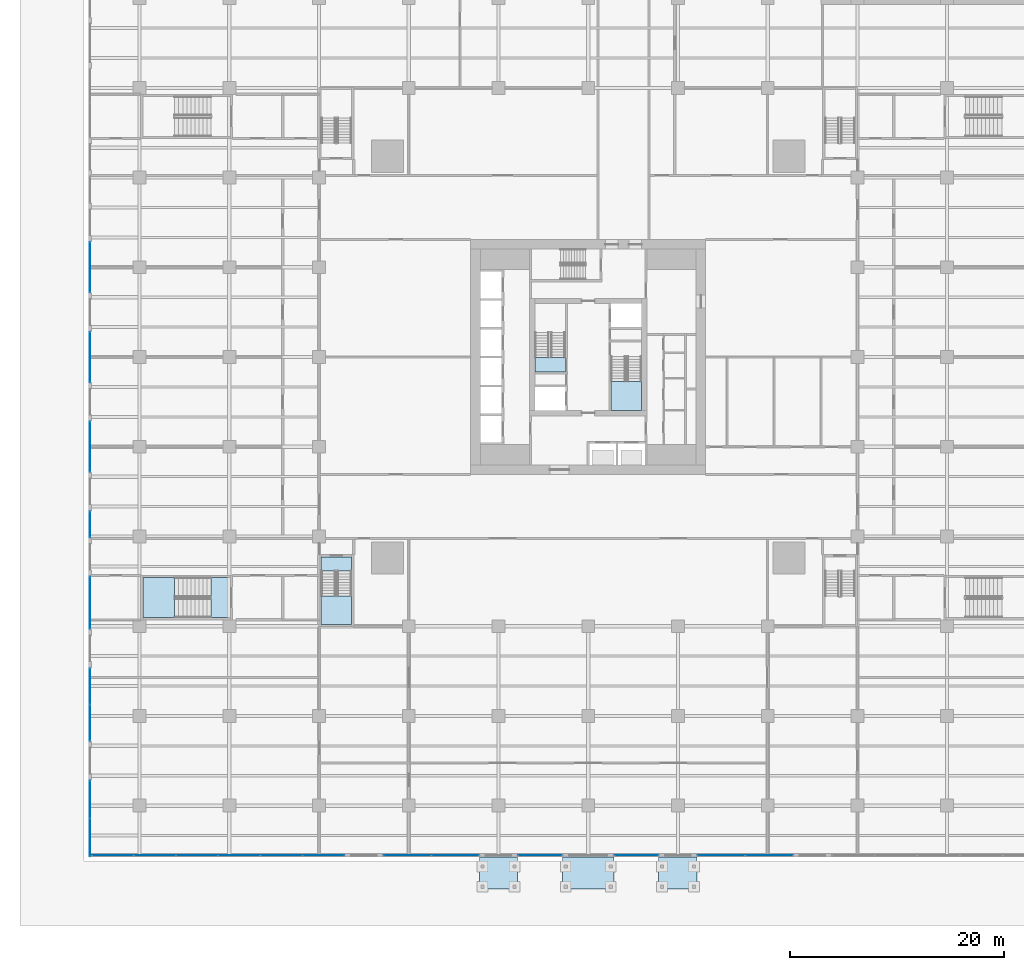
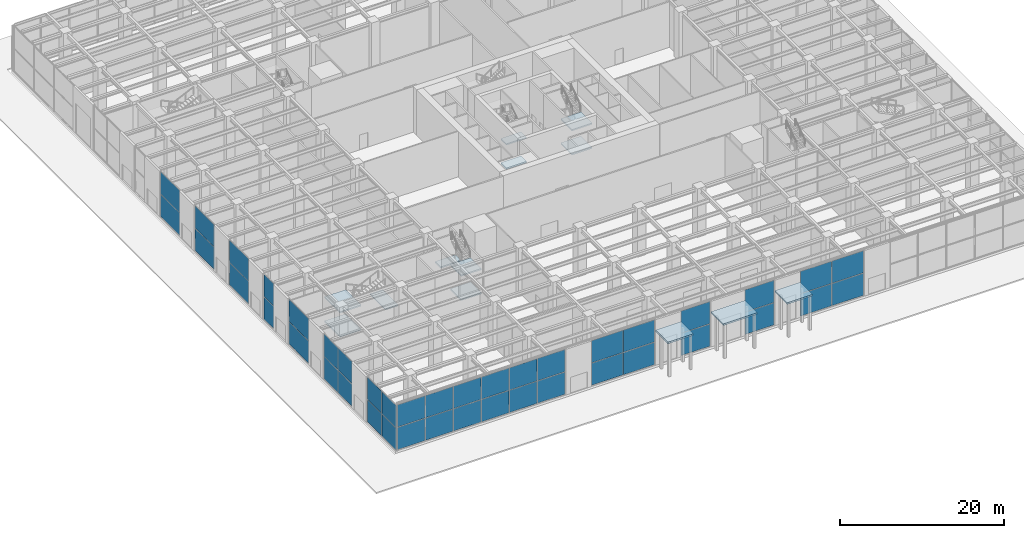
# One storey, part 24 of 43: 42 plates, 13 slabs, 16 elements without a shape of their own.
"""IFC4 building model written with IfcOpenShell, lengths in metres."""

from ifc_helpers import new_model, si_unit, direction, frame, origin, origin_2d, place, context, subcontext, project, spatial, polyline, rectangle, outline, extrude, material, layer, layer_set, type_object, element, aggregate, save


model = new_model("IFC4")

# Units and contexts
model_context = context("Model", 3, precision=1e-05, world=origin(), true_north=direction((0.0, 1.0)))
body_context = subcontext(model_context, "Body", "Model", "MODEL_VIEW")
ifc_project = project(units=[si_unit("LENGTHUNIT", "METRE"), si_unit("AREAUNIT", "SQUARE_METRE"), si_unit("VOLUMEUNIT", "CUBIC_METRE"), si_unit("PLANEANGLEUNIT", "RADIAN"), si_unit("MASSUNIT", "GRAM", prefix="KILO")], contexts=[model_context])

# Site, building, storey
site_placement = place(None, origin())
site = spatial("IfcSite", under=ifc_project, at=site_placement, CompositionType="ELEMENT")
building_placement = place(site_placement, origin())
building = spatial("IfcBuilding", under=site, at=building_placement, Name="Khepri Terraces", CompositionType="ELEMENT")
storey_placement = place(building_placement, origin())
storey = spatial("IfcBuildingStorey", under=building, at=storey_placement, Name="L00", CompositionType="ELEMENT", Elevation=0.0)

# Curtain wall, plates
ifc_material_1 = material(Name="Anodised aluminium bronze curtain wall", Category="aluminium")
curtain_wall_type = type_object("IfcCurtainWallType", Name="CW-SYS1-LOBBY", PredefinedType="NOTDEFINED", material=ifc_material_1)
curtain_wall_1_placement = place(storey_placement, origin())
curtain_wall_1 = element("IfcCurtainWall", 1, at=curtain_wall_1_placement, inside=storey, type_object=curtain_wall_type, Name="Curtain wall CW1 L00 W", PredefinedType="NOTDEFINED")
ifc_material_2 = material(Name="Clear glass", Category="glass")
ifc_layer_1 = layer(ifc_material_2, 0.028076171875, Name="Clear glass", Category="glass")
ifc_layer_set_1 = layer_set([ifc_layer_1], Name="Clear glass")
plate_type = type_object("IfcPlateType", Name="CW-PANEL-VISION-28", PredefinedType="CURTAIN_PANEL", material=ifc_layer_set_1)
plate_1_placement = place(storey_placement, frame((-46.64990234375, 8.39990234375, 0.06005859375), z_axis=(0.0, 0.0, 1.0), x_axis=(0.0, -1.0, 0.0)))
plate_1 = element("IfcPlate", 2, at=plate_1_placement, type_object=plate_type, Name="CW1 panel 1.1", PredefinedType="CURTAIN_PANEL", context=body_context, shape_type="SweptSolid", body=[
    extrude(rectangle(XDim=4.679931640625, YDim=0.028076171875, at=origin_2d()), origin(), (0.0, 0.0, 1.0), 3.300048828125),
])
plate_2_placement = place(storey_placement, frame((-46.64990234375, 8.39990234375, 3.419921875), z_axis=(0.0, 0.0, 1.0), x_axis=(0.0, -1.0, 0.0)))
plate_2 = element("IfcPlate", 3, at=plate_2_placement, type_object=plate_type, Name="CW1 panel 1.2", PredefinedType="CURTAIN_PANEL", context=body_context, shape_type="SweptSolid", body=[
    extrude(rectangle(XDim=4.679931640625, YDim=0.028076171875, at=origin_2d()), origin(), (0.0, 0.0, 1.0), 3.300048828125),
])
aggregate(curtain_wall_1, [plate_1, plate_2])

curtain_wall_2_placement = place(storey_placement, origin())
curtain_wall_2 = element("IfcCurtainWall", 4, at=curtain_wall_2_placement, inside=storey, type_object=curtain_wall_type, Name="Curtain wall CW1 L00 W", PredefinedType="NOTDEFINED")
plate_3_placement = place(storey_placement, frame((-46.64990234375, 0.0, 0.06005859375), z_axis=(0.0, 0.0, 1.0), x_axis=(0.0, -1.0, 0.0)))
plate_3 = element("IfcPlate", 5, at=plate_3_placement, type_object=plate_type, Name="CW1 panel 1.1", PredefinedType="CURTAIN_PANEL", context=body_context, shape_type="SweptSolid", body=[
    extrude(rectangle(XDim=4.679931640625, YDim=0.028076171875, at=origin_2d()), origin(), (0.0, 0.0, 1.0), 3.300048828125),
])
plate_4_placement = place(storey_placement, frame((-46.64990234375, 0.0, 3.419921875), z_axis=(0.0, 0.0, 1.0), x_axis=(0.0, -1.0, 0.0)))
plate_4 = element("IfcPlate", 6, at=plate_4_placement, type_object=plate_type, Name="CW1 panel 1.2", PredefinedType="CURTAIN_PANEL", context=body_context, shape_type="SweptSolid", body=[
    extrude(rectangle(XDim=4.679931640625, YDim=0.028076171875, at=origin_2d()), origin(), (0.0, 0.0, 1.0), 3.300048828125),
])
aggregate(curtain_wall_2, [plate_3, plate_4])

curtain_wall_3_placement = place(storey_placement, origin())
curtain_wall_3 = element("IfcCurtainWall", 7, at=curtain_wall_3_placement, inside=storey, type_object=curtain_wall_type, Name="Curtain wall CW1 L00 W", PredefinedType="NOTDEFINED")
plate_5_placement = place(storey_placement, frame((-46.64990234375, -8.39990234375, 0.06005859375), z_axis=(0.0, 0.0, 1.0), x_axis=(0.0, -1.0, 0.0)))
plate_5 = element("IfcPlate", 8, at=plate_5_placement, type_object=plate_type, Name="CW1 panel 1.1", PredefinedType="CURTAIN_PANEL", context=body_context, shape_type="SweptSolid", body=[
    extrude(rectangle(XDim=4.679931640625, YDim=0.028076171875, at=origin_2d()), origin(), (0.0, 0.0, 1.0), 3.300048828125),
])
plate_6_placement = place(storey_placement, frame((-46.64990234375, -8.39990234375, 3.419921875), z_axis=(0.0, 0.0, 1.0), x_axis=(0.0, -1.0, 0.0)))
plate_6 = element("IfcPlate", 9, at=plate_6_placement, type_object=plate_type, Name="CW1 panel 1.2", PredefinedType="CURTAIN_PANEL", context=body_context, shape_type="SweptSolid", body=[
    extrude(rectangle(XDim=4.679931640625, YDim=0.028076171875, at=origin_2d()), origin(), (0.0, 0.0, 1.0), 3.300048828125),
])
aggregate(curtain_wall_3, [plate_5, plate_6])

curtain_wall_4_placement = place(storey_placement, origin())
curtain_wall_4 = element("IfcCurtainWall", 10, at=curtain_wall_4_placement, inside=storey, type_object=curtain_wall_type, Name="Curtain wall CW1 L00 W", PredefinedType="NOTDEFINED")
plate_7_placement = place(storey_placement, frame((-46.64990234375, -15.66259765625, 0.06005859375), z_axis=(0.0, 0.0, 1.0), x_axis=(0.0, -1.0, 0.0)))
plate_7 = element("IfcPlate", 11, at=plate_7_placement, type_object=plate_type, Name="CW1 panel 1.1", PredefinedType="CURTAIN_PANEL", context=body_context, shape_type="SweptSolid", body=[
    extrude(rectangle(XDim=2.405029296875, YDim=0.028076171875, at=origin_2d()), origin(), (0.0, 0.0, 1.0), 3.300048828125),
])
plate_8_placement = place(storey_placement, frame((-46.64990234375, -15.66259765625, 3.419921875), z_axis=(0.0, 0.0, 1.0), x_axis=(0.0, -1.0, 0.0)))
plate_8 = element("IfcPlate", 12, at=plate_8_placement, type_object=plate_type, Name="CW1 panel 1.2", PredefinedType="CURTAIN_PANEL", context=body_context, shape_type="SweptSolid", body=[
    extrude(rectangle(XDim=2.405029296875, YDim=0.028076171875, at=origin_2d()), origin(), (0.0, 0.0, 1.0), 3.300048828125),
])
aggregate(curtain_wall_4, [plate_7, plate_8])

curtain_wall_5_placement = place(storey_placement, origin())
curtain_wall_5 = element("IfcCurtainWall", 13, at=curtain_wall_5_placement, inside=storey, type_object=curtain_wall_type, Name="Curtain wall CW1 L00 W", PredefinedType="NOTDEFINED")
plate_9_placement = place(storey_placement, frame((-46.64990234375, -23.012451171875, 0.06005859375), z_axis=(0.0, 0.0, 1.0), x_axis=(0.0, -1.0, 0.0)))
plate_9 = element("IfcPlate", 14, at=plate_9_placement, type_object=plate_type, Name="CW1 panel 1.1", PredefinedType="CURTAIN_PANEL", context=body_context, shape_type="SweptSolid", body=[
    extrude(rectangle(XDim=4.85498046875, YDim=0.028076171875, at=origin_2d()), origin(), (0.0, 0.0, 1.0), 3.300048828125),
])
plate_10_placement = place(storey_placement, frame((-46.64990234375, -23.012451171875, 3.419921875), z_axis=(0.0, 0.0, 1.0), x_axis=(0.0, -1.0, 0.0)))
plate_10 = element("IfcPlate", 15, at=plate_10_placement, type_object=plate_type, Name="CW1 panel 1.2", PredefinedType="CURTAIN_PANEL", context=body_context, shape_type="SweptSolid", body=[
    extrude(rectangle(XDim=4.85498046875, YDim=0.028076171875, at=origin_2d()), origin(), (0.0, 0.0, 1.0), 3.300048828125),
])
aggregate(curtain_wall_5, [plate_9, plate_10])

curtain_wall_6_placement = place(storey_placement, origin())
curtain_wall_6 = element("IfcCurtainWall", 16, at=curtain_wall_6_placement, inside=storey, type_object=curtain_wall_type, Name="Curtain wall CW1 L00 W", PredefinedType="NOTDEFINED")
plate_11_placement = place(storey_placement, frame((-46.64990234375, -30.840087890625, 0.06005859375), z_axis=(0.0, 0.0, 1.0), x_axis=(0.0, -1.0, 0.0)))
plate_11 = element("IfcPlate", 17, at=plate_11_placement, type_object=plate_type, Name="CW1 panel 1.1", PredefinedType="CURTAIN_PANEL", context=body_context, shape_type="SweptSolid", body=[
    extrude(rectangle(XDim=3.360107421875, YDim=0.028076171875, at=origin_2d()), origin(), (0.0, 0.0, 1.0), 3.300048828125),
])
plate_12_placement = place(storey_placement, frame((-46.64990234375, -30.840087890625, 3.419921875), z_axis=(0.0, 0.0, 1.0), x_axis=(0.0, -1.0, 0.0)))
plate_12 = element("IfcPlate", 18, at=plate_12_placement, type_object=plate_type, Name="CW1 panel 1.2", PredefinedType="CURTAIN_PANEL", context=body_context, shape_type="SweptSolid", body=[
    extrude(rectangle(XDim=3.360107421875, YDim=0.028076171875, at=origin_2d()), origin(), (0.0, 0.0, 1.0), 3.300048828125),
])
plate_13_placement = place(storey_placement, frame((-46.64990234375, -34.260009765625, 0.06005859375), z_axis=(0.0, 0.0, 1.0), x_axis=(0.0, -1.0, 0.0)))
plate_13 = element("IfcPlate", 19, at=plate_13_placement, type_object=plate_type, Name="CW1 panel 2.1", PredefinedType="CURTAIN_PANEL", context=body_context, shape_type="SweptSolid", body=[
    extrude(rectangle(XDim=3.360107421875, YDim=0.028076171875, at=origin_2d()), origin(), (0.0, 0.0, 1.0), 3.300048828125),
])
plate_14_placement = place(storey_placement, frame((-46.64990234375, -34.260009765625, 3.419921875), z_axis=(0.0, 0.0, 1.0), x_axis=(0.0, -1.0, 0.0)))
plate_14 = element("IfcPlate", 20, at=plate_14_placement, type_object=plate_type, Name="CW1 panel 2.2", PredefinedType="CURTAIN_PANEL", context=body_context, shape_type="SweptSolid", body=[
    extrude(rectangle(XDim=3.360107421875, YDim=0.028076171875, at=origin_2d()), origin(), (0.0, 0.0, 1.0), 3.300048828125),
])
aggregate(curtain_wall_6, [plate_11, plate_12, plate_13, plate_14])

curtain_wall_7_placement = place(storey_placement, origin())
curtain_wall_7 = element("IfcCurtainWall", 21, at=curtain_wall_7_placement, inside=storey, type_object=curtain_wall_type, Name="Curtain wall CW1 L00 W", PredefinedType="NOTDEFINED")
plate_15_placement = place(storey_placement, frame((-46.64990234375, -41.4150390625, 0.06005859375), z_axis=(0.0, 0.0, 1.0), x_axis=(0.0, -1.0, 0.0)))
plate_15 = element("IfcPlate", 22, at=plate_15_placement, type_object=plate_type, Name="CW1 panel 1.1", PredefinedType="CURTAIN_PANEL", context=body_context, shape_type="SweptSolid", body=[
    extrude(rectangle(XDim=3.510009765625, YDim=0.028076171875, at=origin_2d()), origin(), (0.0, 0.0, 1.0), 3.300048828125),
])
plate_16_placement = place(storey_placement, frame((-46.64990234375, -41.4150390625, 3.419921875), z_axis=(0.0, 0.0, 1.0), x_axis=(0.0, -1.0, 0.0)))
plate_16 = element("IfcPlate", 23, at=plate_16_placement, type_object=plate_type, Name="CW1 panel 1.2", PredefinedType="CURTAIN_PANEL", context=body_context, shape_type="SweptSolid", body=[
    extrude(rectangle(XDim=3.510009765625, YDim=0.028076171875, at=origin_2d()), origin(), (0.0, 0.0, 1.0), 3.300048828125),
])
plate_17_placement = place(storey_placement, frame((-46.64990234375, -44.985107421875, 0.06005859375), z_axis=(0.0, 0.0, 1.0), x_axis=(0.0, -1.0, 0.0)))
plate_17 = element("IfcPlate", 24, at=plate_17_placement, type_object=plate_type, Name="CW1 panel 2.1", PredefinedType="CURTAIN_PANEL", context=body_context, shape_type="SweptSolid", body=[
    extrude(rectangle(XDim=3.510009765625, YDim=0.028076171875, at=origin_2d()), origin(), (0.0, 0.0, 1.0), 3.300048828125),
])
plate_18_placement = place(storey_placement, frame((-46.64990234375, -44.985107421875, 3.419921875), z_axis=(0.0, 0.0, 1.0), x_axis=(0.0, -1.0, 0.0)))
plate_18 = element("IfcPlate", 25, at=plate_18_placement, type_object=plate_type, Name="CW1 panel 2.2", PredefinedType="CURTAIN_PANEL", context=body_context, shape_type="SweptSolid", body=[
    extrude(rectangle(XDim=3.510009765625, YDim=0.028076171875, at=origin_2d()), origin(), (0.0, 0.0, 1.0), 3.300048828125),
])
aggregate(curtain_wall_7, [plate_15, plate_16, plate_17, plate_18])

curtain_wall_8_placement = place(storey_placement, origin())
curtain_wall_8 = element("IfcCurtainWall", 26, at=curtain_wall_8_placement, inside=storey, type_object=curtain_wall_type, Name="Curtain wall CW1 L00 S", PredefinedType="NOTDEFINED")
plate_19_placement = place(storey_placement, frame((-44.510009765625, -46.64990234375, 0.06005859375), z_axis=(0.0, 0.0, 1.0), x_axis=(1.0, 0.0, 0.0)))
plate_19 = element("IfcPlate", 27, at=plate_19_placement, type_object=plate_type, Name="CW1 panel 1.1", PredefinedType="CURTAIN_PANEL", context=body_context, shape_type="SweptSolid", body=[
    extrude(rectangle(XDim=3.860107421875, YDim=0.028076171875, at=origin_2d()), origin(), (0.0, 0.0, 1.0), 3.300048828125),
])
plate_20_placement = place(storey_placement, frame((-44.510009765625, -46.64990234375, 3.419921875), z_axis=(0.0, 0.0, 1.0), x_axis=(1.0, 0.0, 0.0)))
plate_20 = element("IfcPlate", 28, at=plate_20_placement, type_object=plate_type, Name="CW1 panel 1.2", PredefinedType="CURTAIN_PANEL", context=body_context, shape_type="SweptSolid", body=[
    extrude(rectangle(XDim=3.860107421875, YDim=0.028076171875, at=origin_2d()), origin(), (0.0, 0.0, 1.0), 3.300048828125),
])
plate_21_placement = place(storey_placement, frame((-40.574951171875, -46.64990234375, 0.06005859375), z_axis=(0.0, 0.0, 1.0), x_axis=(1.0, 0.0, 0.0)))
plate_21 = element("IfcPlate", 29, at=plate_21_placement, type_object=plate_type, Name="CW1 panel 2.1", PredefinedType="CURTAIN_PANEL", context=body_context, shape_type="SweptSolid", body=[
    extrude(rectangle(XDim=3.889892578125, YDim=0.028076171875, at=origin_2d()), origin(), (0.0, 0.0, 1.0), 3.300048828125),
])
plate_22_placement = place(storey_placement, frame((-40.574951171875, -46.64990234375, 3.419921875), z_axis=(0.0, 0.0, 1.0), x_axis=(1.0, 0.0, 0.0)))
plate_22 = element("IfcPlate", 30, at=plate_22_placement, type_object=plate_type, Name="CW1 panel 2.2", PredefinedType="CURTAIN_PANEL", context=body_context, shape_type="SweptSolid", body=[
    extrude(rectangle(XDim=3.889892578125, YDim=0.028076171875, at=origin_2d()), origin(), (0.0, 0.0, 1.0), 3.300048828125),
])
plate_23_placement = place(storey_placement, frame((-36.625, -46.64990234375, 0.06005859375), z_axis=(0.0, 0.0, 1.0), x_axis=(1.0, 0.0, 0.0)))
plate_23 = element("IfcPlate", 31, at=plate_23_placement, type_object=plate_type, Name="CW1 panel 3.1", PredefinedType="CURTAIN_PANEL", context=body_context, shape_type="SweptSolid", body=[
    extrude(rectangle(XDim=3.889892578125, YDim=0.028076171875, at=origin_2d()), origin(), (0.0, 0.0, 1.0), 3.300048828125),
])
plate_24_placement = place(storey_placement, frame((-36.625, -46.64990234375, 3.419921875), z_axis=(0.0, 0.0, 1.0), x_axis=(1.0, 0.0, 0.0)))
plate_24 = element("IfcPlate", 32, at=plate_24_placement, type_object=plate_type, Name="CW1 panel 3.2", PredefinedType="CURTAIN_PANEL", context=body_context, shape_type="SweptSolid", body=[
    extrude(rectangle(XDim=3.889892578125, YDim=0.028076171875, at=origin_2d()), origin(), (0.0, 0.0, 1.0), 3.300048828125),
])
plate_25_placement = place(storey_placement, frame((-32.675048828125, -46.64990234375, 0.06005859375), z_axis=(0.0, 0.0, 1.0), x_axis=(1.0, 0.0, 0.0)))
plate_25 = element("IfcPlate", 33, at=plate_25_placement, type_object=plate_type, Name="CW1 panel 4.1", PredefinedType="CURTAIN_PANEL", context=body_context, shape_type="SweptSolid", body=[
    extrude(rectangle(XDim=3.889892578125, YDim=0.028076171875, at=origin_2d()), origin(), (0.0, 0.0, 1.0), 3.300048828125),
])
plate_26_placement = place(storey_placement, frame((-32.675048828125, -46.64990234375, 3.419921875), z_axis=(0.0, 0.0, 1.0), x_axis=(1.0, 0.0, 0.0)))
plate_26 = element("IfcPlate", 34, at=plate_26_placement, type_object=plate_type, Name="CW1 panel 4.2", PredefinedType="CURTAIN_PANEL", context=body_context, shape_type="SweptSolid", body=[
    extrude(rectangle(XDim=3.889892578125, YDim=0.028076171875, at=origin_2d()), origin(), (0.0, 0.0, 1.0), 3.300048828125),
])
plate_27_placement = place(storey_placement, frame((-28.72509765625, -46.64990234375, 0.06005859375), z_axis=(0.0, 0.0, 1.0), x_axis=(1.0, 0.0, 0.0)))
plate_27 = element("IfcPlate", 35, at=plate_27_placement, type_object=plate_type, Name="CW1 panel 5.1", PredefinedType="CURTAIN_PANEL", context=body_context, shape_type="SweptSolid", body=[
    extrude(rectangle(XDim=3.889892578125, YDim=0.028076171875, at=origin_2d()), origin(), (0.0, 0.0, 1.0), 3.300048828125),
])
plate_28_placement = place(storey_placement, frame((-28.72509765625, -46.64990234375, 3.419921875), z_axis=(0.0, 0.0, 1.0), x_axis=(1.0, 0.0, 0.0)))
plate_28 = element("IfcPlate", 36, at=plate_28_placement, type_object=plate_type, Name="CW1 panel 5.2", PredefinedType="CURTAIN_PANEL", context=body_context, shape_type="SweptSolid", body=[
    extrude(rectangle(XDim=3.889892578125, YDim=0.028076171875, at=origin_2d()), origin(), (0.0, 0.0, 1.0), 3.300048828125),
])
plate_29_placement = place(storey_placement, frame((-24.7900390625, -46.64990234375, 0.06005859375), z_axis=(0.0, 0.0, 1.0), x_axis=(1.0, 0.0, 0.0)))
plate_29 = element("IfcPlate", 37, at=plate_29_placement, type_object=plate_type, Name="CW1 panel 6.1", PredefinedType="CURTAIN_PANEL", context=body_context, shape_type="SweptSolid", body=[
    extrude(rectangle(XDim=3.860107421875, YDim=0.028076171875, at=origin_2d()), origin(), (0.0, 0.0, 1.0), 3.300048828125),
])
plate_30_placement = place(storey_placement, frame((-24.7900390625, -46.64990234375, 3.419921875), z_axis=(0.0, 0.0, 1.0), x_axis=(1.0, 0.0, 0.0)))
plate_30 = element("IfcPlate", 38, at=plate_30_placement, type_object=plate_type, Name="CW1 panel 6.2", PredefinedType="CURTAIN_PANEL", context=body_context, shape_type="SweptSolid", body=[
    extrude(rectangle(XDim=3.860107421875, YDim=0.028076171875, at=origin_2d()), origin(), (0.0, 0.0, 1.0), 3.300048828125),
])
aggregate(curtain_wall_8, [plate_19, plate_20, plate_21, plate_22, plate_23, plate_24, plate_25, plate_26, plate_27, plate_28, plate_29, plate_30])

curtain_wall_9_placement = place(storey_placement, origin())
curtain_wall_9 = element("IfcCurtainWall", 39, at=curtain_wall_9_placement, inside=storey, type_object=curtain_wall_type, Name="Curtain wall CW1 L00 S", PredefinedType="NOTDEFINED")
plate_31_placement = place(storey_placement, frame((-16.93505859375, -46.64990234375, 0.06005859375), z_axis=(0.0, 0.0, 1.0), x_axis=(1.0, 0.0, 0.0)))
plate_31 = element("IfcPlate", 40, at=plate_31_placement, type_object=plate_type, Name="CW1 panel 1.1", PredefinedType="CURTAIN_PANEL", context=body_context, shape_type="SweptSolid", body=[
    extrude(rectangle(XDim=4.409912109375, YDim=0.028076171875, at=origin_2d()), origin(), (0.0, 0.0, 1.0), 3.300048828125),
])
plate_32_placement = place(storey_placement, frame((-16.93505859375, -46.64990234375, 3.419921875), z_axis=(0.0, 0.0, 1.0), x_axis=(1.0, 0.0, 0.0)))
plate_32 = element("IfcPlate", 41, at=plate_32_placement, type_object=plate_type, Name="CW1 panel 1.2", PredefinedType="CURTAIN_PANEL", context=body_context, shape_type="SweptSolid", body=[
    extrude(rectangle(XDim=4.409912109375, YDim=0.028076171875, at=origin_2d()), origin(), (0.0, 0.0, 1.0), 3.300048828125),
])
plate_33_placement = place(storey_placement, frame((-12.465087890625, -46.64990234375, 0.06005859375), z_axis=(0.0, 0.0, 1.0), x_axis=(1.0, 0.0, 0.0)))
plate_33 = element("IfcPlate", 42, at=plate_33_placement, type_object=plate_type, Name="CW1 panel 2.1", PredefinedType="CURTAIN_PANEL", context=body_context, shape_type="SweptSolid", body=[
    extrude(rectangle(XDim=4.409912109375, YDim=0.028076171875, at=origin_2d()), origin(), (0.0, 0.0, 1.0), 3.300048828125),
])
plate_34_placement = place(storey_placement, frame((-12.465087890625, -46.64990234375, 3.419921875), z_axis=(0.0, 0.0, 1.0), x_axis=(1.0, 0.0, 0.0)))
plate_34 = element("IfcPlate", 43, at=plate_34_placement, type_object=plate_type, Name="CW1 panel 2.2", PredefinedType="CURTAIN_PANEL", context=body_context, shape_type="SweptSolid", body=[
    extrude(rectangle(XDim=4.409912109375, YDim=0.028076171875, at=origin_2d()), origin(), (0.0, 0.0, 1.0), 3.300048828125),
])
aggregate(curtain_wall_9, [plate_31, plate_32, plate_33, plate_34])

curtain_wall_10_placement = place(storey_placement, origin())
curtain_wall_10 = element("IfcCurtainWall", 44, at=curtain_wall_10_placement, inside=storey, type_object=curtain_wall_type, Name="Curtain wall CW1 L00 S", PredefinedType="NOTDEFINED")
plate_35_placement = place(storey_placement, frame((-4.5, -46.64990234375, 0.06005859375), z_axis=(0.0, 0.0, 1.0), x_axis=(1.0, 0.0, 0.0)))
plate_35 = element("IfcPlate", 45, at=plate_35_placement, type_object=plate_type, Name="CW1 panel 1.1", PredefinedType="CURTAIN_PANEL", context=body_context, shape_type="SweptSolid", body=[
    extrude(rectangle(XDim=4.080078125, YDim=0.028076171875, at=origin_2d()), origin(), (0.0, 0.0, 1.0), 3.300048828125),
])
plate_36_placement = place(storey_placement, frame((-4.5, -46.64990234375, 3.419921875), z_axis=(0.0, 0.0, 1.0), x_axis=(1.0, 0.0, 0.0)))
plate_36 = element("IfcPlate", 46, at=plate_36_placement, type_object=plate_type, Name="CW1 panel 1.2", PredefinedType="CURTAIN_PANEL", context=body_context, shape_type="SweptSolid", body=[
    extrude(rectangle(XDim=4.080078125, YDim=0.028076171875, at=origin_2d()), origin(), (0.0, 0.0, 1.0), 3.300048828125),
])
aggregate(curtain_wall_10, [plate_35, plate_36])

curtain_wall_11_placement = place(storey_placement, origin())
curtain_wall_11 = element("IfcCurtainWall", 47, at=curtain_wall_11_placement, inside=storey, type_object=curtain_wall_type, Name="Curtain wall CW1 L00 S", PredefinedType="NOTDEFINED")
plate_37_placement = place(storey_placement, frame((4.5, -46.64990234375, 0.06005859375), z_axis=(0.0, 0.0, 1.0), x_axis=(1.0, 0.0, 0.0)))
plate_37 = element("IfcPlate", 48, at=plate_37_placement, type_object=plate_type, Name="CW1 panel 1.1", PredefinedType="CURTAIN_PANEL", context=body_context, shape_type="SweptSolid", body=[
    extrude(rectangle(XDim=4.080078125, YDim=0.028076171875, at=origin_2d()), origin(), (0.0, 0.0, 1.0), 3.300048828125),
])
plate_38_placement = place(storey_placement, frame((4.5, -46.64990234375, 3.419921875), z_axis=(0.0, 0.0, 1.0), x_axis=(1.0, 0.0, 0.0)))
plate_38 = element("IfcPlate", 49, at=plate_38_placement, type_object=plate_type, Name="CW1 panel 1.2", PredefinedType="CURTAIN_PANEL", context=body_context, shape_type="SweptSolid", body=[
    extrude(rectangle(XDim=4.080078125, YDim=0.028076171875, at=origin_2d()), origin(), (0.0, 0.0, 1.0), 3.300048828125),
])
aggregate(curtain_wall_11, [plate_37, plate_38])

curtain_wall_12_placement = place(storey_placement, origin())
curtain_wall_12 = element("IfcCurtainWall", 50, at=curtain_wall_12_placement, inside=storey, type_object=curtain_wall_type, Name="Curtain wall CW1 L00 S", PredefinedType="NOTDEFINED")
plate_39_placement = place(storey_placement, frame((12.465087890625, -46.64990234375, 0.06005859375), z_axis=(0.0, 0.0, 1.0), x_axis=(1.0, 0.0, 0.0)))
plate_39 = element("IfcPlate", 51, at=plate_39_placement, type_object=plate_type, Name="CW1 panel 1.1", PredefinedType="CURTAIN_PANEL", context=body_context, shape_type="SweptSolid", body=[
    extrude(rectangle(XDim=4.409912109375, YDim=0.028076171875, at=origin_2d()), origin(), (0.0, 0.0, 1.0), 3.300048828125),
])
plate_40_placement = place(storey_placement, frame((12.465087890625, -46.64990234375, 3.419921875), z_axis=(0.0, 0.0, 1.0), x_axis=(1.0, 0.0, 0.0)))
plate_40 = element("IfcPlate", 52, at=plate_40_placement, type_object=plate_type, Name="CW1 panel 1.2", PredefinedType="CURTAIN_PANEL", context=body_context, shape_type="SweptSolid", body=[
    extrude(rectangle(XDim=4.409912109375, YDim=0.028076171875, at=origin_2d()), origin(), (0.0, 0.0, 1.0), 3.300048828125),
])
plate_41_placement = place(storey_placement, frame((16.93505859375, -46.64990234375, 0.06005859375), z_axis=(0.0, 0.0, 1.0), x_axis=(1.0, 0.0, 0.0)))
plate_41 = element("IfcPlate", 53, at=plate_41_placement, type_object=plate_type, Name="CW1 panel 2.1", PredefinedType="CURTAIN_PANEL", context=body_context, shape_type="SweptSolid", body=[
    extrude(rectangle(XDim=4.409912109375, YDim=0.028076171875, at=origin_2d()), origin(), (0.0, 0.0, 1.0), 3.300048828125),
])
plate_42_placement = place(storey_placement, frame((16.93505859375, -46.64990234375, 3.419921875), z_axis=(0.0, 0.0, 1.0), x_axis=(1.0, 0.0, 0.0)))
plate_42 = element("IfcPlate", 54, at=plate_42_placement, type_object=plate_type, Name="CW1 panel 2.2", PredefinedType="CURTAIN_PANEL", context=body_context, shape_type="SweptSolid", body=[
    extrude(rectangle(XDim=4.409912109375, YDim=0.028076171875, at=origin_2d()), origin(), (0.0, 0.0, 1.0), 3.300048828125),
])
aggregate(curtain_wall_12, [plate_39, plate_40, plate_41, plate_42])

# Stair, slabs
ifc_material_3 = material(Name="Concrete C40/50", Category="concrete")
stair_type_1 = type_object("IfcStairType", Name="ST-POD", PredefinedType="HALF_TURN_STAIR", material=ifc_material_3)
stair_1_placement = place(storey_placement, origin())
stair_1 = element("IfcStair", 55, at=stair_1_placement, inside=storey, type_object=stair_type_1, Name="L00 Exit Stair PS-4", PredefinedType="HALF_TURN_STAIR")
ifc_layer_2 = layer(ifc_material_3, 0.199951171875, Name="Concrete C40/50", Category="concrete")
ifc_layer_set_2 = layer_set([ifc_layer_2], Name="Concrete C40/50")
slab_type_1 = type_object("IfcSlabType", Name="SL-POD", PredefinedType="LANDING", material=ifc_layer_set_2)
slab_1_placement = place(storey_placement, frame((0.0, 0.0, 1.60009765625)))
slab_1 = element("IfcSlab", 56, at=slab_1_placement, type_object=slab_type_1, Name="PS-4 landing 1", PredefinedType="LANDING", context=body_context, shape_type="SweptSolid", body=[
    extrude(outline(polyline([(-25.0, -22.389892578125), (-25.0, -25.0400390625), (-22.14990234375, -25.0400390625), (-22.14990234375, -22.389892578125), (-25.0, -22.389892578125)])), origin(), (0.0, 0.0, 1.0), 0.199951171875),
])
slab_2_placement = place(storey_placement, frame((0.0, 0.0, 3.39990234375)))
slab_2 = element("IfcSlab", 57, at=slab_2_placement, type_object=slab_type_1, Name="PS-4 landing 2", PredefinedType="LANDING", context=body_context, shape_type="SweptSolid", body=[
    extrude(outline(polyline([(-25.0, -18.699951171875), (-25.0, -20.050048828125), (-22.14990234375, -20.050048828125), (-22.14990234375, -18.699951171875), (-25.0, -18.699951171875)])), origin(), (0.0, 0.0, 1.0), 0.2001953125),
])
slab_3_placement = place(storey_placement, frame((0.0, 0.0, 5.199951171875)))
slab_3 = element("IfcSlab", 58, at=slab_3_placement, type_object=slab_type_1, Name="PS-4 landing 3", PredefinedType="LANDING", context=body_context, shape_type="SweptSolid", body=[
    extrude(outline(polyline([(-25.0, -22.389892578125), (-25.0, -25.0400390625), (-22.14990234375, -25.0400390625), (-22.14990234375, -22.389892578125), (-25.0, -22.389892578125)])), origin(), (0.0, 0.0, 1.0), 0.199951171875),
])
aggregate(stair_1, [slab_1, slab_2, slab_3])

stair_2_placement = place(storey_placement, origin())
stair_2 = element("IfcStair", 59, at=stair_2_placement, inside=storey, type_object=stair_type_1, Name="L00 Exit Stair PS-7", PredefinedType="HALF_TURN_STAIR")
slab_4_placement = place(storey_placement, frame((0.0, 0.0, 1.60009765625)))
slab_4 = element("IfcSlab", 60, at=slab_4_placement, type_object=slab_type_1, Name="PS-7 landing 1", PredefinedType="LANDING", context=body_context, shape_type="SweptSolid", body=[
    extrude(outline(polyline([(-38.719970703125, -20.64990234375), (-41.699951171875, -20.64990234375), (-41.699951171875, -24.39990234375), (-38.719970703125, -24.39990234375), (-38.719970703125, -20.64990234375)])), origin(), (0.0, 0.0, 1.0), 0.199951171875),
])
slab_5_placement = place(storey_placement, frame((0.0, 0.0, 3.39990234375)))
slab_5 = element("IfcSlab", 61, at=slab_5_placement, type_object=slab_type_1, Name="PS-7 landing 2", PredefinedType="LANDING", context=body_context, shape_type="SweptSolid", body=[
    extrude(outline(polyline([(-33.5, -20.64990234375), (-35.300048828125, -20.64990234375), (-35.300048828125, -24.39990234375), (-33.5, -24.39990234375), (-33.5, -20.64990234375)])), origin(), (0.0, 0.0, 1.0), 0.2001953125),
])
slab_6_placement = place(storey_placement, frame((0.0, 0.0, 5.199951171875)))
slab_6 = element("IfcSlab", 62, at=slab_6_placement, type_object=slab_type_1, Name="PS-7 landing 3", PredefinedType="LANDING", context=body_context, shape_type="SweptSolid", body=[
    extrude(outline(polyline([(-38.719970703125, -20.64990234375), (-41.699951171875, -20.64990234375), (-41.699951171875, -24.39990234375), (-38.719970703125, -24.39990234375), (-38.719970703125, -20.64990234375)])), origin(), (0.0, 0.0, 1.0), 0.199951171875),
])
aggregate(stair_2, [slab_4, slab_5, slab_6])

# Slabs
ifc_material_4 = material(Name="Precast concrete C50/60 warm stone", Category="masonry")
ifc_layer_3 = layer(ifc_material_4, 0.25, Name="Precast concrete C50/60 warm stone", Category="masonry")
ifc_layer_set_3 = layer_set([ifc_layer_3], Name="Precast concrete C50/60 warm stone")
slab_type_2 = type_object("IfcSlabType", Name="SLB-CANOPY-250", PredefinedType="ROOF", material=ifc_layer_set_3)
slab_7_placement = place(storey_placement, frame((0.0, 0.0, 5.0)))
element("IfcSlab", 63, at=slab_7_placement, inside=storey, type_object=slab_type_2, Name="Entrance canopy S", PredefinedType="ROOF", context=body_context, shape_type="SweptSolid", body=[
    extrude(outline(polyline([(-10.199951171875, -46.800048828125), (-10.199951171875, -49.800048828125), (-6.60009765625, -49.800048828125), (-6.60009765625, -46.800048828125), (-10.199951171875, -46.800048828125)])), origin(), (0.0, 0.0, 1.0), 0.25),
])
slab_8_placement = place(storey_placement, frame((0.0, 0.0, 5.0)))
element("IfcSlab", 64, at=slab_8_placement, inside=storey, type_object=slab_type_2, Name="Entrance canopy S", PredefinedType="ROOF", context=body_context, shape_type="SweptSolid", body=[
    extrude(outline(polyline([(-2.39990234375, -46.800048828125), (-2.39990234375, -49.800048828125), (2.39990234375, -49.800048828125), (2.39990234375, -46.800048828125), (-2.39990234375, -46.800048828125)])), origin(), (0.0, 0.0, 1.0), 0.25),
])
slab_9_placement = place(storey_placement, frame((0.0, 0.0, 5.0)))
element("IfcSlab", 65, at=slab_9_placement, inside=storey, type_object=slab_type_2, Name="Entrance canopy S", PredefinedType="ROOF", context=body_context, shape_type="SweptSolid", body=[
    extrude(outline(polyline([(6.60009765625, -46.800048828125), (6.60009765625, -49.800048828125), (10.199951171875, -49.800048828125), (10.199951171875, -46.800048828125), (6.60009765625, -46.800048828125)])), origin(), (0.0, 0.0, 1.0), 0.25),
])

# Stair, slabs
stair_type_2 = type_object("IfcStairType", Name="STAIR-RC-40R", PredefinedType="HALF_TURN_STAIR", material=ifc_material_3)
stair_3_placement = place(storey_placement, origin())
stair_3 = element("IfcStair", 66, at=stair_3_placement, inside=storey, type_object=stair_type_2, Name="L00 Exit Stair ST-1", PredefinedType="HALF_TURN_STAIR")
ifc_layer_4 = layer(ifc_material_3, 0.199951171875, Name="Concrete C40/50", Category="concrete")
ifc_layer_set_4 = layer_set([ifc_layer_4], Name="Concrete C40/50")
slab_type_3 = type_object("IfcSlabType", Name="SLB-CORE-LANDING", PredefinedType="LANDING", material=ifc_layer_set_4)
slab_10_placement = place(storey_placement, frame((0.0, 0.0, -0.199951171875)))
slab_10 = element("IfcSlab", 67, at=slab_10_placement, type_object=slab_type_3, Name="ST-1 landing 1", PredefinedType="LANDING", context=body_context, shape_type="SweptSolid", body=[
    extrude(outline(polyline([(-2.14990234375, -1.39990234375), (-2.14990234375, -0.050048828125), (-5.0, -0.050048828125), (-5.0, -1.39990234375), (-2.14990234375, -1.39990234375)])), origin(), (0.0, 0.0, 1.0), 0.199951171875),
])
slab_11_placement = place(storey_placement, frame((0.0, 0.0, 3.39990234375)))
slab_11 = element("IfcSlab", 68, at=slab_11_placement, type_object=slab_type_3, Name="ST-1 landing 3", PredefinedType="LANDING", context=body_context, shape_type="SweptSolid", body=[
    extrude(outline(polyline([(-2.14990234375, -1.39990234375), (-2.14990234375, -0.050048828125), (-5.0, -0.050048828125), (-5.0, -1.39990234375), (-2.14990234375, -1.39990234375)])), origin(), (0.0, 0.0, 1.0), 0.2001953125),
])
aggregate(stair_3, [slab_10, slab_11])

stair_4_placement = place(storey_placement, origin())
stair_4 = element("IfcStair", 69, at=stair_4_placement, inside=storey, type_object=stair_type_2, Name="L00 Exit Stair ST-2", PredefinedType="HALF_TURN_STAIR")
slab_12_placement = place(storey_placement, frame((0.0, 0.0, 1.60009765625)))
slab_12 = element("IfcSlab", 70, at=slab_12_placement, type_object=slab_type_3, Name="ST-2 landing 2", PredefinedType="LANDING", context=body_context, shape_type="SweptSolid", body=[
    extrude(outline(polyline([(2.14990234375, -2.2900390625), (2.14990234375, -5.0), (5.0, -5.0), (5.0, -2.2900390625), (2.14990234375, -2.2900390625)])), origin(), (0.0, 0.0, 1.0), 0.199951171875),
])
slab_13_placement = place(storey_placement, frame((0.0, 0.0, 5.199951171875)))
slab_13 = element("IfcSlab", 71, at=slab_13_placement, type_object=slab_type_3, Name="ST-2 landing 4", PredefinedType="LANDING", context=body_context, shape_type="SweptSolid", body=[
    extrude(outline(polyline([(2.14990234375, -2.2900390625), (2.14990234375, -5.0), (5.0, -5.0), (5.0, -2.2900390625), (2.14990234375, -2.2900390625)])), origin(), (0.0, 0.0, 1.0), 0.199951171875),
])
aggregate(stair_4, [slab_12, slab_13])

save(model, "model.ifc")
